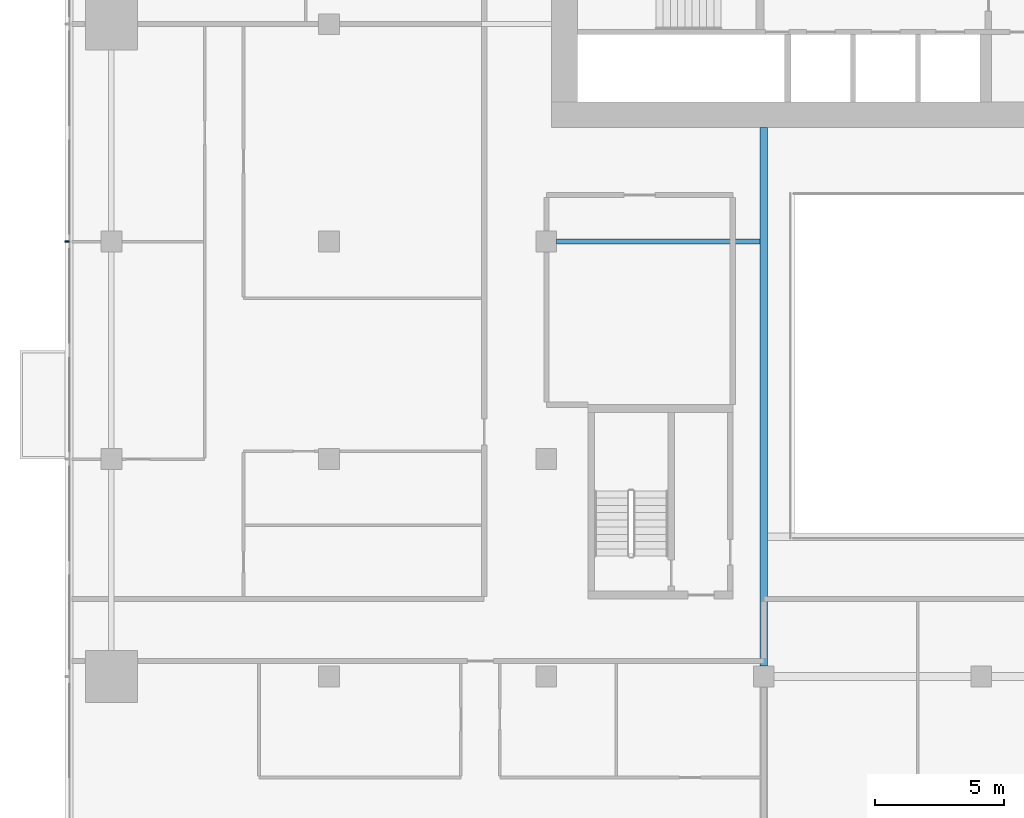
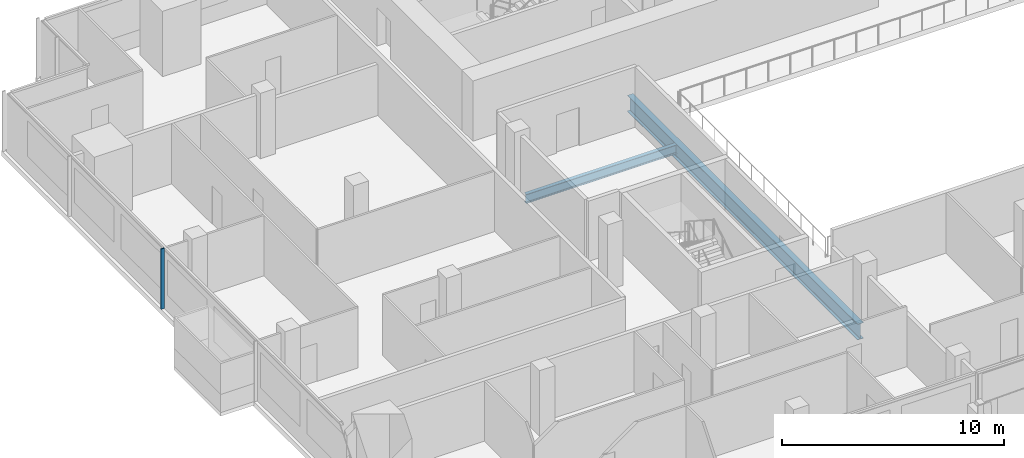
# One storey, part 4 of 26: 2 beams, 1 member, 1 element without a shape of its own.
"""IFC4 building model written with IfcOpenShell, lengths in metres."""

from ifc_helpers import new_model, si_unit, direction, frame, origin, origin_2d, place, context, subcontext, project, spatial, rectangle, i_section, extrude, material, material_profile, profile_set, type_object, element, aggregate, save


model = new_model("IFC4")

# Units and contexts
model_context = context("Model", 3, precision=1e-05, world=origin(), true_north=direction((0.0, 1.0)))
body_context = subcontext(model_context, "Body", "Model", "MODEL_VIEW")
ifc_project = project(units=[si_unit("LENGTHUNIT", "METRE"), si_unit("AREAUNIT", "SQUARE_METRE"), si_unit("VOLUMEUNIT", "CUBIC_METRE"), si_unit("PLANEANGLEUNIT", "RADIAN"), si_unit("MASSUNIT", "GRAM", prefix="KILO")], contexts=[model_context])

# Site, building, storey
site_placement = place(None, origin())
site = spatial("IfcSite", under=ifc_project, at=site_placement, CompositionType="ELEMENT")
building_placement = place(site_placement, origin())
building = spatial("IfcBuilding", under=site, at=building_placement, Name="Saffron Gate Tower", CompositionType="ELEMENT")
storey_placement = place(building_placement, frame((0.0, 0.0, 120.449951171875)))
storey = spatial("IfcBuildingStorey", under=building, at=storey_placement, Name="L28", CompositionType="ELEMENT", Elevation=120.449951171875)

# Beams
ifc_material_1 = material(Name="Structural steel S355", Category="steel")
ifc_material_profile_1 = material_profile(ifc_material_1, i_section(OverallWidth=0.199951171875, OverallDepth=0.5, WebThickness=0.01025390625, FlangeThickness=0.01611328125, FilletRadius=0.02099609375, at=origin_2d()))
ifc_profile_set_1 = profile_set([ifc_material_profile_1], Name="Structural steel S355")
beam_type_1 = type_object("IfcBeamType", Name="B10 IPE 500", PredefinedType="BEAM", material=ifc_profile_set_1)
beam_1_placement = place(storey_placement, frame((67.0, 57.0, -0.530029296875), z_axis=(1.0, 0.0, 0.0), x_axis=(0.0, 1.0, 0.0)))
element("IfcBeam", 1, at=beam_1_placement, inside=storey, type_object=beam_type_1, Name="B10 CORE TIE BEAM", PredefinedType="BEAM", context=body_context, shape_type="SweptSolid", body=[
    extrude(i_section(OverallWidth=0.199951171875, OverallDepth=0.5, WebThickness=0.01025390625, FlangeThickness=0.01611328125, FilletRadius=0.02099609375, at=origin_2d()), origin(), (0.0, 0.0, 1.0), 7.85009765625),
])
ifc_material_profile_2 = material_profile(ifc_material_1, i_section(OverallWidth=0.300048828125, OverallDepth=0.889892578125, WebThickness=0.01611328125, FlangeThickness=0.030029296875, FilletRadius=0.030029296875, at=origin_2d()))
ifc_profile_set_2 = profile_set([ifc_material_profile_2], Name="Structural steel S355")
beam_type_2 = type_object("IfcBeamType", Name="B19 HEA 900", PredefinedType="BEAM", material=ifc_profile_set_2)
beam_2_placement = place(storey_placement, frame((75.0, 40.60009765625, -0.724853515625), z_axis=(0.0, 1.0, 0.0), x_axis=(-1.0, 0.0, 0.0)))
element("IfcBeam", 2, at=beam_2_placement, inside=storey, type_object=beam_type_2, Name="B19 ATRIUM GIRDER", PredefinedType="BEAM", context=body_context, shape_type="SweptSolid", body=[
    extrude(i_section(OverallWidth=0.300048828125, OverallDepth=0.889892578125, WebThickness=0.01611328125, FlangeThickness=0.030029296875, FilletRadius=0.030029296875, at=origin_2d()), origin(), (0.0, 0.0, 1.0), 20.7998046875),
])

# Curtain wall, member
ifc_material_2 = material(Name="Aluminium, bronze anodised", Category="aluminium")
curtain_wall_type = type_object("IfcCurtainWallType", Name="CWS2 curtain wall side facades", PredefinedType="NOTDEFINED", material=ifc_material_2)
curtain_wall_placement = place(storey_placement, origin())
curtain_wall = element("IfcCurtainWall", 3, at=curtain_wall_placement, inside=storey, type_object=curtain_wall_type, Name="CWS2 run 10", PredefinedType="NOTDEFINED")
ifc_material_profile_3 = material_profile(ifc_material_2, rectangle(XDim=0.159912109375, YDim=0.06005859375, at=origin_2d()))
ifc_profile_set_3 = profile_set([ifc_material_profile_3], Name="Aluminium, bronze anodised")
member_type = type_object("IfcMemberType", Name="CWS2 mullion 60x160", PredefinedType="MULLION", material=ifc_profile_set_3)
member_placement = place(storey_placement, frame((48.080078125, 57.0, 0.0), z_axis=(0.0, 0.0, 1.0), x_axis=(1.0, 0.0, 0.0)))
member = element("IfcMember", 4, at=member_placement, type_object=member_type, Name="CWS2 mullion 3", PredefinedType="MULLION", context=body_context, shape_type="SweptSolid", body=[
    extrude(rectangle(XDim=0.159912109375, YDim=0.06005859375, at=origin_2d()), origin(), (0.0, 0.0, 1.0), 3.320068359375),
])
aggregate(curtain_wall, [member])

save(model, "model.ifc")
